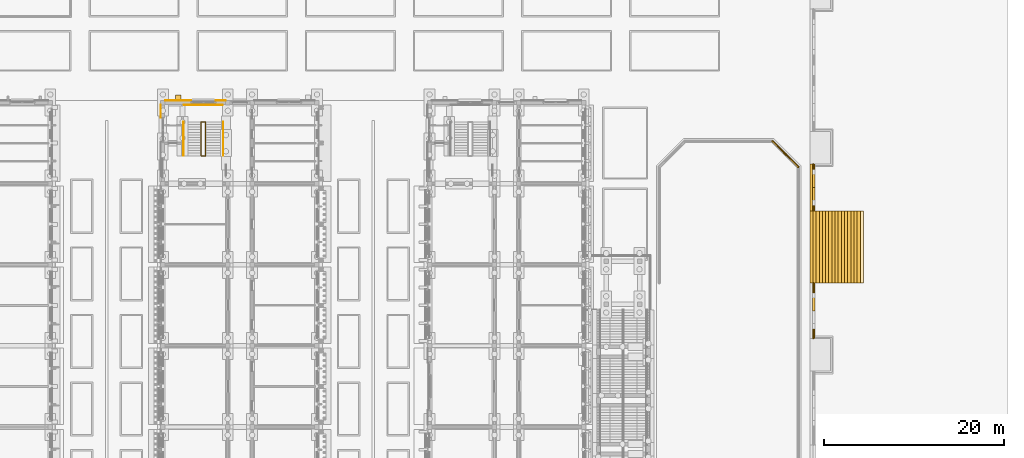
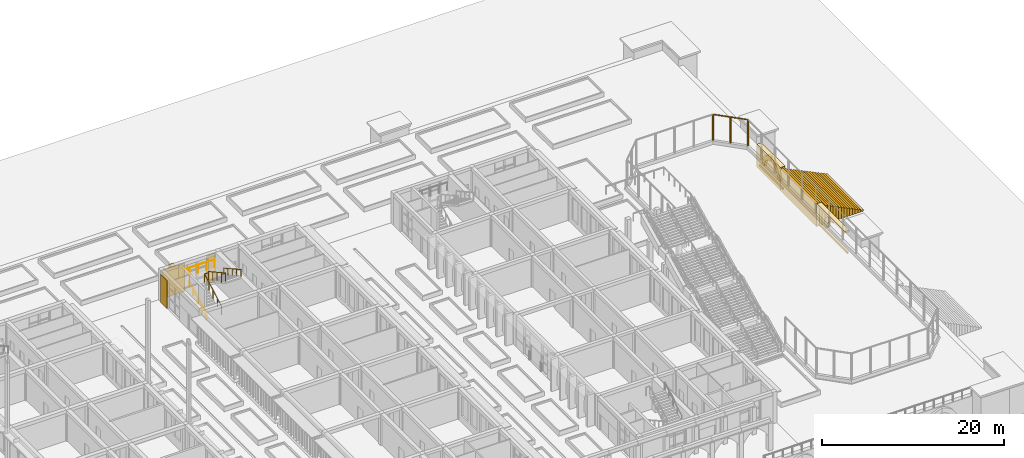
# One storey, part 141 of 161: 29 coverings, 5 railings.
"""IFC4 building model written with IfcOpenShell, lengths in metres."""

from ifc_helpers import new_model, si_unit, direction, frame, origin, origin_2d, place, context, subcontext, project, spatial, polyline, rectangle, circle, outline, extrude, material, layer, layer_set, type_object, element, save


model = new_model("IFC4")

# Units and contexts
model_context = context("Model", 3, precision=1e-05, world=origin(), true_north=direction((0.0, 1.0)))
body_context = subcontext(model_context, "Body", "Model", "MODEL_VIEW")
ifc_project = project(units=[si_unit("LENGTHUNIT", "METRE"), si_unit("AREAUNIT", "SQUARE_METRE"), si_unit("VOLUMEUNIT", "CUBIC_METRE"), si_unit("PLANEANGLEUNIT", "RADIAN"), si_unit("MASSUNIT", "GRAM", prefix="KILO")], contexts=[model_context])

# Site, building, storey
site_placement = place(None, origin())
site = spatial("IfcSite", under=ifc_project, at=site_placement, CompositionType="ELEMENT")
building_placement = place(site_placement, origin())
building = spatial("IfcBuilding", under=site, at=building_placement, Name="Elbe Cascade School", CompositionType="ELEMENT")
storey_placement = place(building_placement, origin())
storey = spatial("IfcBuildingStorey", under=building, at=storey_placement, Name="L00", CompositionType="ELEMENT", Elevation=0.0)

# Railings
ifc_material_1 = material(Name="Steel S355J2H", Category="steel")
railing_type_1 = type_object("IfcRailingType", Name="Ball-stop fence 4000", PredefinedType="USERDEFINED", material=ifc_material_1)
railing_1_placement = place(storey_placement, frame((198.699951171875, 52.875732421875, 0.449951171875)))
element("IfcRailing", 1, at=railing_1_placement, inside=storey, type_object=railing_type_1, Name="Ball-stop fence north east", ObjectType="BALL-STOP FENCE", PredefinedType="USERDEFINED", context=body_context, shape_type="SweptSolid", body=[
    extrude(circle(Radius=0.06982421875, at=origin_2d()), frame((0.0, 0.0, 3.47998046875), z_axis=(-0.707106781187, 0.707106781187, 0.0), x_axis=(-0.707106781187, -0.707106781187, 0.0)), (0.0, 0.0, 1.0), 3.994140625),
    extrude(circle(Radius=0.10009765625, at=origin_2d()), origin(), (0.0, 0.0, 1.0), 3.41015625),
    extrude(circle(Radius=0.10009765625, at=origin_2d()), frame((-1.412109375, 1.412109375, 0.0)), (0.0, 0.0, 1.0), 3.41015625),
    extrude(circle(Radius=0.10009765625, at=origin_2d()), frame((-2.82421875, 2.82421875, 0.0)), (0.0, 0.0, 1.0), 3.41015625),
])
ifc_material_2 = material(Name="Steel S355J2H, painted", Category="steel")
railing_type_2 = type_object("IfcRailingType", Name="Bar stair guard 1100", PredefinedType="GUARDRAIL", material=ifc_material_2)
railing_2_placement = place(storey_placement, frame((132.449951171875, 54.10009765625, 0.16064453125)))
element("IfcRailing", 2, at=railing_2_placement, inside=storey, type_object=railing_type_2, Name="Stair guard C0.N", PredefinedType="GUARDRAIL", context=body_context, shape_type="SweptSolid", body=[
    extrude(circle(Radius=0.02392578125, at=origin_2d()), frame((0.0, 0.0, 1.09619140625), z_axis=(0.0, 0.874659101714, 0.484738543742), x_axis=(-1.0, 0.0, 0.0)), (0.0, 0.0, 1.0), 4.310302734375),
    extrude(circle(Radius=0.02392578125, at=origin_2d()), frame((0.0, 3.77001953125, 3.185546875), z_axis=(1.0, 0.0, 0.0), x_axis=(0.0, 1.0, 0.0)), (0.0, 0.0, 1.0), 0.5),
    extrude(circle(Radius=0.02392578125, at=origin_2d()), frame((0.5, 3.77001953125, 3.185546875), z_axis=(0.0, 0.0, 1.0), x_axis=(1.0, 0.0, 0.0)), (0.0, 0.0, 1.0), 0.16064453125),
    extrude(circle(Radius=0.02392578125, at=origin_2d()), frame((0.5, 3.77001953125, 3.34619140625), z_axis=(0.0, -0.874659101714, 0.484738543742), x_axis=(1.0, 0.0, 0.0)), (0.0, 0.0, 1.0), 4.310302734375),
    extrude(circle(Radius=0.02392578125, at=origin_2d()), frame((0.5, 0.0, 5.435546875), z_axis=(-1.0, 0.0, 0.0), x_axis=(0.0, -1.0, 0.0)), (0.0, 0.0, 1.0), 0.5),
    extrude(circle(Radius=0.02099609375, at=origin_2d()), origin(), (0.0, 0.0, 1.0), 1.072021484375),
    extrude(circle(Radius=0.02099609375, at=origin_2d()), frame((0.0, 0.9423828125, 0.5224609375)), (0.0, 0.0, 1.0), 1.072021484375),
    extrude(circle(Radius=0.02099609375, at=origin_2d()), frame((0.0, 1.885009765625, 1.044677734375)), (0.0, 0.0, 1.0), 1.072021484375),
    extrude(circle(Radius=0.02099609375, at=origin_2d()), frame((0.0, 2.82763671875, 1.56689453125)), (0.0, 0.0, 1.0), 1.072021484375),
    extrude(circle(Radius=0.02099609375, at=origin_2d()), frame((0.0, 3.77001953125, 2.08935546875)), (0.0, 0.0, 1.0), 1.072021484375),
    extrude(circle(Radius=0.02099609375, at=origin_2d()), frame((0.5, 3.77001953125, 2.08935546875)), (0.0, 0.0, 1.0), 1.072021484375),
    extrude(circle(Radius=0.02099609375, at=origin_2d()), frame((0.5, 3.77001953125, 2.25)), (0.0, 0.0, 1.0), 1.072021484375),
    extrude(circle(Radius=0.02099609375, at=origin_2d()), frame((0.5, 2.82763671875, 2.7724609375)), (0.0, 0.0, 1.0), 1.072021484375),
    extrude(circle(Radius=0.02099609375, at=origin_2d()), frame((0.5, 1.885009765625, 3.294677734375)), (0.0, 0.0, 1.0), 1.072021484375),
    extrude(circle(Radius=0.02099609375, at=origin_2d()), frame((0.5, 0.9423828125, 3.81689453125)), (0.0, 0.0, 1.0), 1.072021484375),
    extrude(circle(Radius=0.02099609375, at=origin_2d()), frame((0.5, 0.0, 4.33935546875)), (0.0, 0.0, 1.0), 1.072021484375),
    extrude(circle(Radius=0.02099609375, at=origin_2d()), frame((0.0, 0.0, 4.33935546875)), (0.0, 0.0, 1.0), 1.072021484375),
])
railing_3_placement = place(storey_placement, frame((130.56005859375, 59.760009765625, 2.25)))
element("IfcRailing", 3, at=railing_3_placement, inside=storey, type_object=railing_type_2, Name="Stair guard C0.N", PredefinedType="GUARDRAIL", context=body_context, shape_type="SweptSolid", body=[
    extrude(circle(Radius=0.02392578125, at=origin_2d()), frame((0.0, 0.0, 1.09619140625), z_axis=(1.0, 0.0, 0.0), x_axis=(0.0, 1.0, 0.0)), (0.0, 0.0, 1.0), 4.280029296875),
    extrude(circle(Radius=0.02099609375, at=origin_2d()), origin(), (0.0, 0.0, 1.0), 1.072021484375),
    extrude(circle(Radius=0.02099609375, at=origin_2d()), frame((1.070068359375, 0.0, 0.0)), (0.0, 0.0, 1.0), 1.072021484375),
    extrude(circle(Radius=0.02099609375, at=origin_2d()), frame((2.14013671875, 0.0, 0.0)), (0.0, 0.0, 1.0), 1.072021484375),
    extrude(circle(Radius=0.02099609375, at=origin_2d()), frame((3.2099609375, 0.0, 0.0)), (0.0, 0.0, 1.0), 1.072021484375),
    extrude(circle(Radius=0.02099609375, at=origin_2d()), frame((4.280029296875, 0.0, 0.0)), (0.0, 0.0, 1.0), 1.072021484375),
])
ifc_material_3 = material(Name="Steel S355J2H, painted", Category="steel")
railing_type_3 = type_object("IfcRailingType", Name="Bar stair handrail 900", PredefinedType="HANDRAIL", material=ifc_material_3)
railing_4_placement = place(storey_placement, frame((130.5, 54.10009765625, 0.16064453125)))
element("IfcRailing", 4, at=railing_4_placement, inside=storey, type_object=railing_type_3, Name="Stair handrail C0.N", PredefinedType="HANDRAIL", context=body_context, shape_type="SweptSolid", body=[
    extrude(circle(Radius=0.02392578125, at=origin_2d()), frame((0.0, 0.0, 0.8759765625), z_axis=(0.0, 0.874659101714, 0.484738543742), x_axis=(-1.0, 0.0, 0.0)), (0.0, 0.0, 1.0), 4.310302734375),
    extrude(circle(Radius=0.02099609375, at=origin_2d()), origin(), (0.0, 0.0, 1.0), 0.851806640625),
    extrude(circle(Radius=0.02099609375, at=origin_2d()), frame((0.0, 0.9423828125, 0.5224609375)), (0.0, 0.0, 1.0), 0.851806640625),
    extrude(circle(Radius=0.02099609375, at=origin_2d()), frame((0.0, 1.885009765625, 1.044677734375)), (0.0, 0.0, 1.0), 0.851806640625),
    extrude(circle(Radius=0.02099609375, at=origin_2d()), frame((0.0, 2.82763671875, 1.56689453125)), (0.0, 0.0, 1.0), 0.851806640625),
    extrude(circle(Radius=0.02099609375, at=origin_2d()), frame((0.0, 3.77001953125, 2.08935546875)), (0.0, 0.0, 1.0), 0.851806640625),
])
railing_5_placement = place(storey_placement, frame((134.89990234375, 57.8701171875, 2.41064453125)))
element("IfcRailing", 5, at=railing_5_placement, inside=storey, type_object=railing_type_3, Name="Stair handrail C0.N", PredefinedType="HANDRAIL", context=body_context, shape_type="SweptSolid", body=[
    extrude(circle(Radius=0.02392578125, at=origin_2d()), frame((0.0, 0.0, 0.8759765625), z_axis=(0.0, -0.874659101714, 0.484738543742), x_axis=(1.0, 0.0, 0.0)), (0.0, 0.0, 1.0), 4.310302734375),
    extrude(circle(Radius=0.02099609375, at=origin_2d()), origin(), (0.0, 0.0, 1.0), 0.851806640625),
    extrude(circle(Radius=0.02099609375, at=origin_2d()), frame((0.0, -0.9423828125, 0.5224609375)), (0.0, 0.0, 1.0), 0.851806640625),
    extrude(circle(Radius=0.02099609375, at=origin_2d()), frame((0.0, -1.885009765625, 1.044677734375)), (0.0, 0.0, 1.0), 0.851806640625),
    extrude(circle(Radius=0.02099609375, at=origin_2d()), frame((0.0, -2.82763671875, 1.56689453125)), (0.0, 0.0, 1.0), 0.851806640625),
    extrude(circle(Radius=0.02099609375, at=origin_2d()), frame((0.0, -3.77001953125, 2.08935546875)), (0.0, 0.0, 1.0), 0.851806640625),
])

# Coverings
ifc_material_4 = material(Name="Precast concrete C40/50", Category="concrete")
covering_type_1 = type_object("IfcCoveringType", Name="Bars envelope Precast concrete gable fin, 600 wide, 600 deep", PredefinedType="CLADDING", material=ifc_material_4)
covering_1_placement = place(storey_placement, frame((129.89990234375, 60.56005859375, 0.0), z_axis=(0.0, 0.0, 1.0), x_axis=(1.0, 0.0, 0.0)))
element("IfcCovering", 6, at=covering_1_placement, inside=storey, type_object=covering_type_1, Name="Fin CV63 C.L00.n.1", PredefinedType="CLADDING", context=body_context, shape_type="SweptSolid", body=[
    extrude(rectangle(XDim=0.60009765625, YDim=0.60009765625, at=origin_2d()), origin(), (0.0, 0.0, 1.0), 3.800048828125),
])
ifc_material_5 = material(Name="Sandstone - red", Category="masonry")
ifc_layer_1 = layer(ifc_material_5, 0.0400390625)
ifc_layer_set_1 = layer_set([ifc_layer_1], Name="Sandstone - red")
covering_type_2 = type_object("IfcCoveringType", Name="Bars envelope Sandstone cladding, red, 40 mm", PredefinedType="CLADDING", material=ifc_layer_set_1)
covering_2_placement = place(storey_placement, frame((127.9599609375, 59.030029296875, 0.0), z_axis=(0.0, 0.0, 1.0), x_axis=(0.0, 1.0, 0.0)))
element("IfcCovering", 7, at=covering_2_placement, inside=storey, type_object=covering_type_2, Name="Sandstone cladding CV48 C.L00.w.6b.1", PredefinedType="CLADDING", context=body_context, shape_type="SweptSolid", body=[
    extrude(rectangle(XDim=1.43994140625, YDim=0.0400390625, at=origin_2d()), origin(), (0.0, 0.0, 1.0), 3.75),
])
covering_3_placement = place(storey_placement, frame((129.89990234375, 60.239990234375, 0.0), z_axis=(0.0, 0.0, 1.0), x_axis=(1.0, 0.0, 0.0)))
element("IfcCovering", 8, at=covering_3_placement, inside=storey, type_object=covering_type_2, Name="Sandstone cladding CV48 C.L00.n.1a.1", PredefinedType="CLADDING", context=body_context, shape_type="SweptSolid", body=[
    extrude(rectangle(XDim=2.89990234375, YDim=0.0400390625, at=origin_2d()), origin(), (0.0, 0.0, 1.0), 3.800048828125),
])
covering_4_placement = place(storey_placement, frame((134.60009765625, 60.239990234375, 0.0), z_axis=(0.0, 0.0, 1.0), x_axis=(1.0, 0.0, 0.0)))
element("IfcCovering", 9, at=covering_4_placement, inside=storey, type_object=covering_type_2, Name="Sandstone cladding CV48 C.L00.n.1b.1", PredefinedType="CLADDING", context=body_context, shape_type="SweptSolid", body=[
    extrude(rectangle(XDim=1.10009765625, YDim=0.0400390625, at=origin_2d()), origin(), (0.0, 0.0, 1.0), 3.800048828125),
])
ifc_material_6 = material(Name="Sandstone - red", Category="masonry")
ifc_layer_2 = layer(ifc_material_6, 0.35009765625)
ifc_layer_set_2 = layer_set([ifc_layer_2], Name="Sandstone - red")
covering_type_3 = type_object("IfcCoveringType", Name="Ghat step 350x170", PredefinedType="CLADDING", material=ifc_layer_set_2)
covering_5_placement = place(storey_placement, frame((0.0, 0.0, -3.10009765625)))
element("IfcCovering", 10, at=covering_5_placement, inside=storey, type_object=covering_type_3, Name="Ghat step east 2.1", PredefinedType="CLADDING", context=body_context, shape_type="SweptSolid", body=[
    extrude(outline(polyline([(200.0, 40.0), (200.35009765625, 40.0), (200.35009765625, 48.0), (200.0, 48.0), (200.0, 40.0)])), origin(), (0.0, 0.0, 1.0), 2.93017578125),
])
covering_6_placement = place(storey_placement, frame((0.0, 0.0, -3.10009765625)))
element("IfcCovering", 11, at=covering_6_placement, inside=storey, type_object=covering_type_3, Name="Ghat step east 2.2", PredefinedType="CLADDING", context=body_context, shape_type="SweptSolid", body=[
    extrude(outline(polyline([(200.35009765625, 40.0), (200.699951171875, 40.0), (200.699951171875, 48.0), (200.35009765625, 48.0), (200.35009765625, 40.0)])), origin(), (0.0, 0.0, 1.0), 2.760009765625),
])
covering_7_placement = place(storey_placement, frame((0.0, 0.0, -3.10009765625)))
element("IfcCovering", 12, at=covering_7_placement, inside=storey, type_object=covering_type_3, Name="Ghat step east 2.3", PredefinedType="CLADDING", context=body_context, shape_type="SweptSolid", body=[
    extrude(outline(polyline([(200.699951171875, 40.0), (201.050048828125, 40.0), (201.050048828125, 48.0), (200.699951171875, 48.0), (200.699951171875, 40.0)])), origin(), (0.0, 0.0, 1.0), 2.590087890625),
])
covering_8_placement = place(storey_placement, frame((0.0, 0.0, -3.10009765625)))
element("IfcCovering", 13, at=covering_8_placement, inside=storey, type_object=covering_type_3, Name="Ghat step east 2.4", PredefinedType="CLADDING", context=body_context, shape_type="SweptSolid", body=[
    extrude(outline(polyline([(201.050048828125, 40.0), (201.39990234375, 40.0), (201.39990234375, 48.0), (201.050048828125, 48.0), (201.050048828125, 40.0)])), origin(), (0.0, 0.0, 1.0), 2.420166015625),
])
covering_9_placement = place(storey_placement, frame((0.0, 0.0, -3.10009765625)))
element("IfcCovering", 14, at=covering_9_placement, inside=storey, type_object=covering_type_3, Name="Ghat step east 2.5", PredefinedType="CLADDING", context=body_context, shape_type="SweptSolid", body=[
    extrude(outline(polyline([(201.39990234375, 40.0), (201.75, 40.0), (201.75, 48.0), (201.39990234375, 48.0), (201.39990234375, 40.0)])), origin(), (0.0, 0.0, 1.0), 2.25),
])
covering_10_placement = place(storey_placement, frame((0.0, 0.0, -3.10009765625)))
element("IfcCovering", 15, at=covering_10_placement, inside=storey, type_object=covering_type_3, Name="Ghat step east 2.6", PredefinedType="CLADDING", context=body_context, shape_type="SweptSolid", body=[
    extrude(outline(polyline([(201.75, 40.0), (202.10009765625, 40.0), (202.10009765625, 48.0), (201.75, 48.0), (201.75, 40.0)])), origin(), (0.0, 0.0, 1.0), 2.080078125),
])
covering_11_placement = place(storey_placement, frame((0.0, 0.0, -3.10009765625)))
element("IfcCovering", 16, at=covering_11_placement, inside=storey, type_object=covering_type_3, Name="Ghat step east 2.7", PredefinedType="CLADDING", context=body_context, shape_type="SweptSolid", body=[
    extrude(outline(polyline([(202.10009765625, 40.0), (202.449951171875, 40.0), (202.449951171875, 48.0), (202.10009765625, 48.0), (202.10009765625, 40.0)])), origin(), (0.0, 0.0, 1.0), 1.91015625),
])
covering_12_placement = place(storey_placement, frame((0.0, 0.0, -3.10009765625)))
element("IfcCovering", 17, at=covering_12_placement, inside=storey, type_object=covering_type_3, Name="Ghat step east 2.8", PredefinedType="CLADDING", context=body_context, shape_type="SweptSolid", body=[
    extrude(outline(polyline([(202.449951171875, 40.0), (202.800048828125, 40.0), (202.800048828125, 48.0), (202.449951171875, 48.0), (202.449951171875, 40.0)])), origin(), (0.0, 0.0, 1.0), 1.739990234375),
])
covering_13_placement = place(storey_placement, frame((0.0, 0.0, -3.10009765625)))
element("IfcCovering", 18, at=covering_13_placement, inside=storey, type_object=covering_type_3, Name="Ghat step east 2.9", PredefinedType="CLADDING", context=body_context, shape_type="SweptSolid", body=[
    extrude(outline(polyline([(202.800048828125, 40.0), (203.14990234375, 40.0), (203.14990234375, 48.0), (202.800048828125, 48.0), (202.800048828125, 40.0)])), origin(), (0.0, 0.0, 1.0), 1.570068359375),
])
covering_14_placement = place(storey_placement, frame((0.0, 0.0, -3.10009765625)))
element("IfcCovering", 19, at=covering_14_placement, inside=storey, type_object=covering_type_3, Name="Ghat step east 2.10", PredefinedType="CLADDING", context=body_context, shape_type="SweptSolid", body=[
    extrude(outline(polyline([(203.14990234375, 40.0), (203.5, 40.0), (203.5, 48.0), (203.14990234375, 48.0), (203.14990234375, 40.0)])), origin(), (0.0, 0.0, 1.0), 1.400146484375),
])
covering_15_placement = place(storey_placement, frame((0.0, 0.0, -3.10009765625)))
element("IfcCovering", 20, at=covering_15_placement, inside=storey, type_object=covering_type_3, Name="Ghat step east 2.11", PredefinedType="CLADDING", context=body_context, shape_type="SweptSolid", body=[
    extrude(outline(polyline([(203.5, 40.0), (203.85009765625, 40.0), (203.85009765625, 48.0), (203.5, 48.0), (203.5, 40.0)])), origin(), (0.0, 0.0, 1.0), 1.22998046875),
])
covering_16_placement = place(storey_placement, frame((0.0, 0.0, -3.10009765625)))
element("IfcCovering", 21, at=covering_16_placement, inside=storey, type_object=covering_type_3, Name="Ghat step east 2.12", PredefinedType="CLADDING", context=body_context, shape_type="SweptSolid", body=[
    extrude(outline(polyline([(203.85009765625, 40.0), (204.199951171875, 40.0), (204.199951171875, 48.0), (203.85009765625, 48.0), (203.85009765625, 40.0)])), origin(), (0.0, 0.0, 1.0), 1.06005859375),
])
covering_17_placement = place(storey_placement, frame((0.0, 0.0, -3.10009765625)))
element("IfcCovering", 22, at=covering_17_placement, inside=storey, type_object=covering_type_3, Name="Ghat step east 2.13", PredefinedType="CLADDING", context=body_context, shape_type="SweptSolid", body=[
    extrude(outline(polyline([(204.199951171875, 40.0), (204.550048828125, 40.0), (204.550048828125, 48.0), (204.199951171875, 48.0), (204.199951171875, 40.0)])), origin(), (0.0, 0.0, 1.0), 0.89013671875),
])
covering_18_placement = place(storey_placement, frame((0.0, 0.0, -3.10009765625)))
element("IfcCovering", 23, at=covering_18_placement, inside=storey, type_object=covering_type_3, Name="Ghat step east 2.14", PredefinedType="CLADDING", context=body_context, shape_type="SweptSolid", body=[
    extrude(outline(polyline([(204.550048828125, 40.0), (204.89990234375, 40.0), (204.89990234375, 48.0), (204.550048828125, 48.0), (204.550048828125, 40.0)])), origin(), (0.0, 0.0, 1.0), 0.72021484375),
])
covering_19_placement = place(storey_placement, frame((0.0, 0.0, -3.10009765625)))
element("IfcCovering", 24, at=covering_19_placement, inside=storey, type_object=covering_type_3, Name="Ghat step east 2.15", PredefinedType="CLADDING", context=body_context, shape_type="SweptSolid", body=[
    extrude(outline(polyline([(204.89990234375, 40.0), (205.25, 40.0), (205.25, 48.0), (204.89990234375, 48.0), (204.89990234375, 40.0)])), origin(), (0.0, 0.0, 1.0), 0.550048828125),
])
covering_20_placement = place(storey_placement, frame((0.0, 0.0, -3.10009765625)))
element("IfcCovering", 25, at=covering_20_placement, inside=storey, type_object=covering_type_3, Name="Ghat step east 2.16", PredefinedType="CLADDING", context=body_context, shape_type="SweptSolid", body=[
    extrude(outline(polyline([(205.25, 40.0), (205.60009765625, 40.0), (205.60009765625, 48.0), (205.25, 48.0), (205.25, 40.0)])), origin(), (0.0, 0.0, 1.0), 0.380126953125),
])
covering_21_placement = place(storey_placement, frame((0.0, 0.0, -3.10009765625)))
element("IfcCovering", 26, at=covering_21_placement, inside=storey, type_object=covering_type_3, Name="Ghat step east 2.17", PredefinedType="CLADDING", context=body_context, shape_type="SweptSolid", body=[
    extrude(outline(polyline([(205.60009765625, 40.0), (205.949951171875, 40.0), (205.949951171875, 48.0), (205.60009765625, 48.0), (205.60009765625, 40.0)])), origin(), (0.0, 0.0, 1.0), 0.210205078125),
])
ifc_material_7 = material(Name="Sandstone - red", Category="masonry")
ifc_layer_3 = layer(ifc_material_7, 0.14990234375)
ifc_layer_set_3 = layer_set([ifc_layer_3], Name="Sandstone - red")
covering_type_4 = type_object("IfcCoveringType", Name="Plinth base course 150x250", PredefinedType="CLADDING", material=ifc_layer_set_3)
covering_22_placement = place(storey_placement, frame((0.0, 0.0, -3.10009765625)))
element("IfcCovering", 27, at=covering_22_placement, inside=storey, type_object=covering_type_4, Name="Plinth base course east 0.3.1", PredefinedType="CLADDING", context=body_context, shape_type="SweptSolid", body=[
    extrude(outline(polyline([(200.300048828125, 33.800048828125), (200.449951171875, 33.800048828125), (200.449951171875, 40.0), (200.300048828125, 40.0), (200.300048828125, 33.800048828125)])), origin(), (0.0, 0.0, 1.0), 0.25),
])
covering_23_placement = place(storey_placement, frame((0.0, 0.0, -3.10009765625)))
element("IfcCovering", 28, at=covering_23_placement, inside=storey, type_object=covering_type_4, Name="Plinth base course east 0.4.1", PredefinedType="CLADDING", context=body_context, shape_type="SweptSolid", body=[
    extrude(outline(polyline([(200.300048828125, 48.0), (200.449951171875, 48.0), (200.449951171875, 53.199951171875), (200.300048828125, 53.199951171875), (200.300048828125, 48.0)])), origin(), (0.0, 0.0, 1.0), 0.25),
])
ifc_material_8 = material(Name="Sandstone - red", Category="masonry")
ifc_layer_4 = layer(ifc_material_8, 0.25)
ifc_layer_set_4 = layer_set([ifc_layer_4], Name="Sandstone - red")
covering_type_5 = type_object("IfcCoveringType", Name="Plinth coping 600x250", PredefinedType="CLADDING", material=ifc_layer_set_4)
covering_24_placement = place(storey_placement, frame((0.0, 0.0, -0.25)))
element("IfcCovering", 29, at=covering_24_placement, inside=storey, type_object=covering_type_5, Name="Plinth coping east 3", PredefinedType="CLADDING", context=body_context, shape_type="SweptSolid", body=[
    extrude(outline(polyline([(200.0, 33.800048828125), (200.60009765625, 33.800048828125), (200.60009765625, 40.0), (200.0, 40.0), (200.0, 33.800048828125)])), origin(), (0.0, 0.0, 1.0), 0.25),
])
covering_25_placement = place(storey_placement, frame((0.0, 0.0, -0.25)))
element("IfcCovering", 30, at=covering_25_placement, inside=storey, type_object=covering_type_5, Name="Plinth coping east 4", PredefinedType="CLADDING", context=body_context, shape_type="SweptSolid", body=[
    extrude(outline(polyline([(200.0, 48.0), (200.60009765625, 48.0), (200.60009765625, 53.199951171875), (200.0, 53.199951171875), (200.0, 48.0)])), origin(), (0.0, 0.0, 1.0), 0.25),
])
ifc_material_9 = material(Name="Sandstone - red", Category="masonry")
ifc_layer_5 = layer(ifc_material_9, 0.300048828125)
ifc_layer_set_5 = layer_set([ifc_layer_5], Name="Sandstone - red")
covering_type_6 = type_object("IfcCoveringType", Name="Plinth facing 300", PredefinedType="CLADDING", material=ifc_layer_set_5)
covering_26_placement = place(storey_placement, frame((0.0, 0.0, -3.10009765625)))
element("IfcCovering", 31, at=covering_26_placement, inside=storey, type_object=covering_type_6, Name="Plinth facing east 4", PredefinedType="CLADDING", context=body_context, shape_type="SweptSolid", body=[
    extrude(outline(polyline([(200.0, 48.0), (200.300048828125, 48.0), (200.300048828125, 53.199951171875), (200.0, 53.199951171875), (200.0, 48.0)])), origin(), (0.0, 0.0, 1.0), 2.85009765625),
])
ifc_material_10 = material(Name="Sandstone - red", Category="masonry")
ifc_layer_6 = layer(ifc_material_10, 0.300048828125)
ifc_layer_set_6 = layer_set([ifc_layer_6], Name="Sandstone - red")
covering_type_7 = type_object("IfcCoveringType", Name="Plinth niche arch band 600x300", PredefinedType="CLADDING", material=ifc_layer_set_6)
covering_27_placement = place(storey_placement, frame((200.60009765625, 38.87548828125, -2.0341796875), z_axis=(1.0, 0.0, 0.0), x_axis=(0.0, -0.229640615433, 0.973275494268)))
element("IfcCovering", 32, at=covering_27_placement, inside=storey, type_object=covering_type_7, Name="Plinth niche arch band east 0.3.1b", PredefinedType="CLADDING", context=body_context, shape_type="SweptSolid", body=[
    extrude(outline(polyline([(0.0, 0.0), (0.31681637027835047, 0.0), (0.6296088823787412, 0.04886067811575373), (0.9315267427864806, 0.14518832098545423), (1.2146004998268738, 0.2871006253983999), (1.4726628589921735, 0.4707850101886869), (1.699434396567878, 0.6919536620154754), (1.8891803432917578, 0.9454377254653902), (2.037954729394572, 1.2251445961231031), (2.1416994559003246, 1.5245064373983495), (1.5576391129042635, 1.662313232499558), (1.4826077413227772, 1.4527516467981305), (1.3764806454459984, 1.2570489300335477), (1.2416232623821883, 1.0799146970257483), (1.081295428986102, 0.9255966880936953), (0.8990640204772993, 0.7975176660871937), (0.6996279279093016, 0.6985824547516934), (0.4872108101606949, 0.6318080070394001), (0.26725112189532263, 0.5979178949791348), (0.04458659872137888, 0.5982791165847868), (-0.17533094702333402, 0.6326087149319284), (-0.3130816775211652, 0.04878598802333507), (0.0, 0.0)])), origin(), (0.0, 0.0, -1.0), 0.300048828125),
])
covering_28_placement = place(storey_placement, frame((200.60009765625, 48.60009765625, -2.35009765625), z_axis=(1.0, 0.0, 0.0), x_axis=(0.0, 1.0, 0.0)))
element("IfcCovering", 33, at=covering_28_placement, inside=storey, type_object=covering_type_7, Name="Plinth niche arch band east 0.4.1a", PredefinedType="CLADDING", context=body_context, shape_type="SweptSolid", body=[
    extrude(outline(polyline([(0.0, 0.0), (0.599853515625, 0.0), (0.616943359375, 0.221923828125), (0.667724609375, 0.438720703125), (0.751220703125, 0.64501953125), (0.864990234375, 0.83642578125), (1.007080078125, 1.0078125), (1.173583984375, 1.15576171875), (1.360595703125, 1.2763671875), (1.56396484375, 1.366943359375), (1.77880859375, 1.42529296875), (2.0, 1.4501953125), (2.0, 2.05029296875), (1.684814453125, 2.01806640625), (1.37841796875, 1.9375), (1.088134765625, 1.81103515625), (0.82080078125, 1.64111328125), (0.582763671875, 1.43212890625), (0.379638671875, 1.189208984375), (0.216552734375, 0.91748046875), (0.09716796875, 0.624267578125), (0.0244140625, 0.31591796875), (0.0, 0.0)])), origin(), (0.0, 0.0, -1.0), 0.300048828125),
])
covering_29_placement = place(storey_placement, frame((200.60009765625, 52.575439453125, -2.0341796875), z_axis=(1.0, 0.0, 0.0), x_axis=(0.0, -0.229640615433, 0.973275494268)))
element("IfcCovering", 34, at=covering_29_placement, inside=storey, type_object=covering_type_7, Name="Plinth niche arch band east 0.4.1b", PredefinedType="CLADDING", context=body_context, shape_type="SweptSolid", body=[
    extrude(outline(polyline([(0.0, 0.0), (0.31681637027835047, 0.0), (0.6296088823787412, 0.04886067811575373), (0.9315267427864806, 0.14518832098545423), (1.2146004998268738, 0.2871006253983999), (1.4726067943887962, 0.47054739410121904), (1.699434396567878, 0.6919536620154754), (1.8891803432917578, 0.9454377254653902), (2.037954729394572, 1.2251445961231031), (2.1416433912969475, 1.5242688213108815), (1.5575830483008861, 1.66207561641209), (1.4825516767193998, 1.4525140307106628), (1.3764806454459984, 1.2570489300335477), (1.2416232623821883, 1.0799146970257483), (1.0812393643827247, 0.9253590720062276), (0.899007955873922, 0.7972800499997257), (0.6996279279093016, 0.6985824547516934), (0.4872108101606949, 0.6318080070394001), (0.26725112189532263, 0.5979178949791348), (0.04458659872137888, 0.5982791165847868), (-0.17533094702333402, 0.6326087149319284), (-0.3131377421245425, 0.04854837193586718), (0.0, 0.0)])), origin(), (0.0, 0.0, -1.0), 0.300048828125),
])

save(model, "model.ifc")
